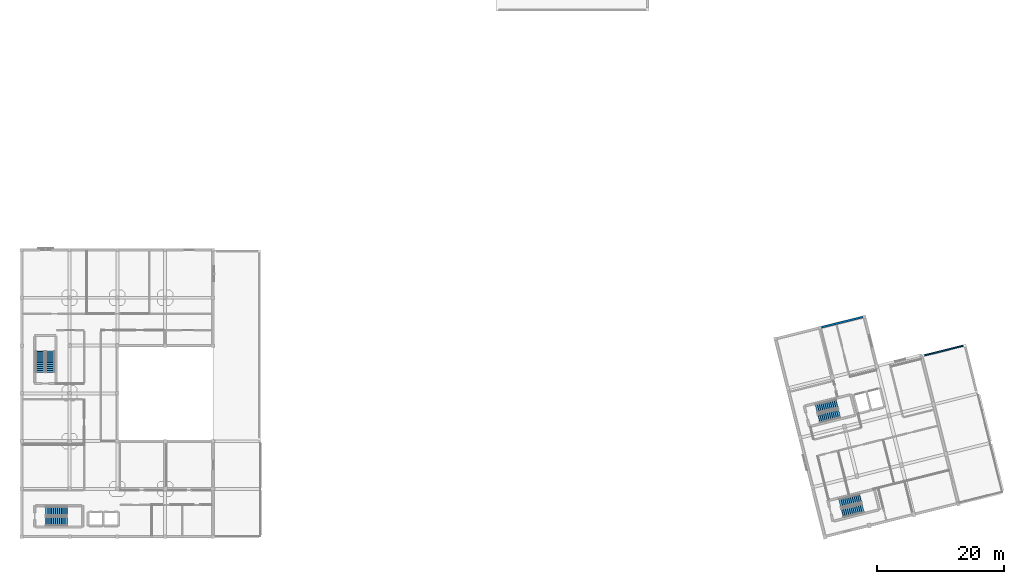
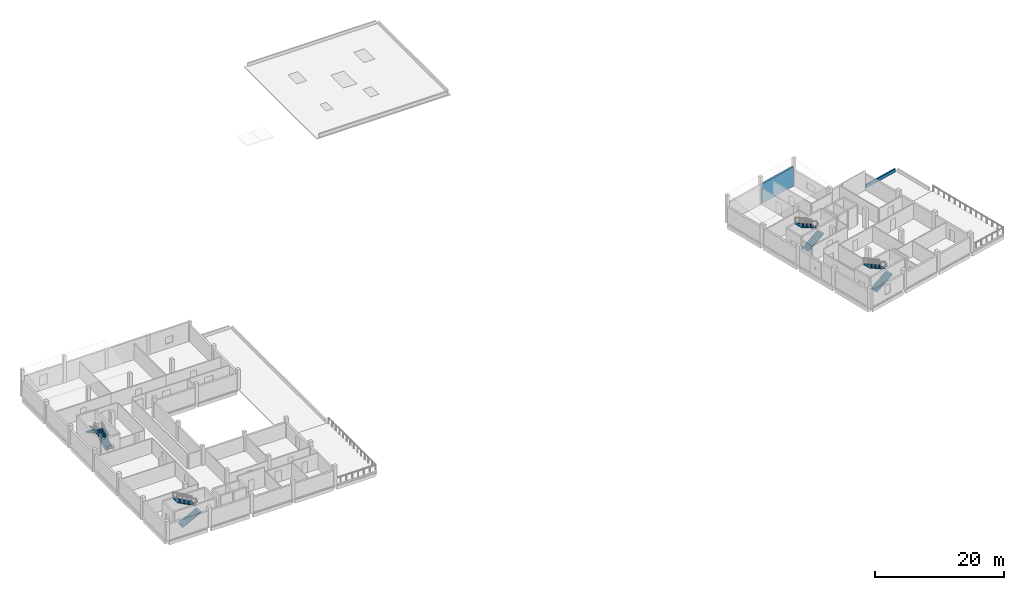
# One storey, part 9 of 14: 8 stair flights, 2 walls, 4 elements without a shape of their own.
"""IFC4 building model written with IfcOpenShell, lengths in metres."""

from ifc_helpers import new_model, si_unit, direction, frame, frame_2d, origin, place, context, subcontext, project, spatial, polyline, rectangle, outline, extrude, material, layer, layer_set, type_object, element, aggregate, save


model = new_model("IFC4")

# Units and contexts
model_context = context("Model", 3, precision=1e-05, world=origin(), true_north=direction((0.0, 1.0)))
body_context = subcontext(model_context, "Body", "Model", "MODEL_VIEW")
ifc_project = project(units=[si_unit("LENGTHUNIT", "METRE"), si_unit("AREAUNIT", "SQUARE_METRE"), si_unit("VOLUMEUNIT", "CUBIC_METRE"), si_unit("PLANEANGLEUNIT", "RADIAN"), si_unit("MASSUNIT", "GRAM", prefix="KILO")], contexts=[model_context])

# Site, building, storey
site_placement = place(None, origin())
site = spatial("IfcSite", under=ifc_project, at=site_placement, CompositionType="ELEMENT")
building_placement = place(site_placement, origin())
building = spatial("IfcBuilding", under=site, at=building_placement, Name="Mawjan Specialist Oncology Clinic", CompositionType="ELEMENT")
storey_placement = place(building_placement, frame((0.0, 0.0, 17.5)))
storey = spatial("IfcBuildingStorey", under=building, at=storey_placement, Name="L04", CompositionType="ELEMENT", Elevation=17.5)

# Walls
ifc_material_1 = material(Name="Precast concrete C40/50", Category="concrete")
ifc_layer_1 = layer(ifc_material_1, 0.320068359375, Name="Precast concrete C40/50", Category="concrete")
ifc_layer_set_1 = layer_set([ifc_layer_1], Name="Precast concrete C40/50")
wall_type_1 = type_object("IfcWallType", Name="EW-320", PredefinedType="SOLIDWALL", material=ifc_layer_set_1)
wall_1_placement = place(storey_placement, frame((125.4873046875, 33.65185546875, 0.0), z_axis=(0.0, 0.0, 1.0), x_axis=(0.970296633454, 0.241918257079, 0.0)))
element("IfcWall", 1, at=wall_1_placement, inside=storey, type_object=wall_type_1, Name="L04 Coral-Limestone Exterior Wall EW-L04-339", PredefinedType="SOLIDWALL", context=body_context, shape_type="SweptSolid", body=[
    extrude(rectangle(XDim=6.699951171875, YDim=0.320068359375, at=frame_2d((3.35009765625, 0.0))), origin(), (0.0, 0.0, 1.0), 3.68994140625),
])
ifc_material_2 = material(Name="Precast concrete C40/50", Category="concrete")
ifc_layer_2 = layer(ifc_material_2, 0.239990234375, Name="Precast concrete C40/50", Category="concrete")
ifc_layer_set_2 = layer_set([ifc_layer_2], Name="Precast concrete C40/50")
wall_type_2 = type_object("IfcWallType", Name="PAR-240", PredefinedType="PARAPET", material=ifc_layer_set_2)
wall_2_placement = place(storey_placement, frame((141.680908203125, 29.259033203125, -0.080078125), z_axis=(0.0, 0.0, 1.0), x_axis=(0.970301600071, 0.241898335878, 0.0)))
element("IfcWall", 2, at=wall_2_placement, inside=storey, type_object=wall_type_2, Name="L04 Roof Parapet Upstand 26", PredefinedType="PARAPET", context=body_context, shape_type="SweptSolid", body=[
    extrude(rectangle(XDim=6.22021484375, YDim=0.239990234375, at=frame_2d((3.110107421875, 0.0))), origin(), (0.0, 0.0, 1.0), 0.60009765625),
])

# Stair, stair flights
ifc_material_3 = material(Name="Concrete C35/45", Category="concrete")
stair_type = type_object("IfcStairType", Name="STR-CORE40", PredefinedType="HALF_TURN_STAIR", material=ifc_material_3)
stair_1_placement = place(storey_placement, origin())
stair_1 = element("IfcStair", 3, at=stair_1_placement, inside=storey, type_object=stair_type, Name="L04 Exit Stair ST-01", PredefinedType="HALF_TURN_STAIR")
ifc_material_4 = material(Name="Concrete C35/45", Category="concrete")
ifc_layer_3 = layer(ifc_material_4, 0.14990234375, Name="Concrete C35/45", Category="concrete")
ifc_layer_set_3 = layer_set([ifc_layer_3], Name="Concrete C35/45")
stair_flight_type = type_object("IfcStairFlightType", Name="FLT-CORE40", PredefinedType="STRAIGHT", material=ifc_layer_set_3)
stair_flight_1_placement = place(storey_placement, frame((3.800048828125, 3.199951171875, 0.0), z_axis=(0.0, 0.0, 1.0), x_axis=(1.0, 0.0, 0.0)))
stair_flight_1 = element("IfcStairFlight", 4, at=stair_flight_1_placement, type_object=stair_flight_type, Name="ST-01 flight 1", NumberOfRisers=12, NumberOfTreads=11, PredefinedType="STRAIGHT", RiserHeight=0.166666667, TreadLength=0.3, context=body_context, shape_type="SweptSolid", body=[
    extrude(outline(polyline([(-0.044921875, -0.0400390625), (-0.044921875, 0.0), (0.0, 0.0), (0.0, 0.166748046875), (0.300048828125, 0.166748046875), (0.300048828125, 0.333251953125), (0.60009765625, 0.333251953125), (0.60009765625, 0.5), (0.89990234375, 0.5), (0.89990234375, 0.666748046875), (1.199951171875, 0.666748046875), (1.199951171875, 0.833251953125), (1.5, 0.833251953125), (1.5, 1.0), (1.800048828125, 1.0), (1.800048828125, 1.166748046875), (2.10009765625, 1.166748046875), (2.10009765625, 1.333251953125), (2.39990234375, 1.333251953125), (2.39990234375, 1.5), (2.699951171875, 1.5), (2.699951171875, 1.666748046875), (3.0, 1.666748046875), (3.0, 1.833251953125), (3.300048828125, 1.833251953125), (3.344970703125, 1.833251953125), (3.344970703125, 1.683349609375), (0.044921875, -0.0400390625), (-0.044921875, -0.0400390625)])), frame((0.0, 0.699951171875, 0.0), z_axis=(0.0, -1.0, 0.0), x_axis=(1.0, 0.0, 0.0)), (0.0, 0.0, 1.0), 1.39990234375),
])
stair_flight_2_placement = place(storey_placement, frame((7.10009765625, 4.800048828125, 2.0), z_axis=(0.0, 0.0, 1.0), x_axis=(-1.0, 0.0, 0.0)))
stair_flight_2 = element("IfcStairFlight", 5, at=stair_flight_2_placement, type_object=stair_flight_type, Name="ST-01 flight 2", NumberOfRisers=12, NumberOfTreads=11, PredefinedType="STRAIGHT", RiserHeight=0.166666667, TreadLength=0.3, context=body_context, shape_type="SweptSolid", body=[
    extrude(outline(polyline([(-0.044921875, -0.0400390625), (-0.044921875, 0.0), (0.0, 0.0), (0.0, 0.166748046875), (0.300048828125, 0.166748046875), (0.300048828125, 0.333251953125), (0.60009765625, 0.333251953125), (0.60009765625, 0.5), (0.89990234375, 0.5), (0.89990234375, 0.666748046875), (1.199951171875, 0.666748046875), (1.199951171875, 0.833251953125), (1.5, 0.833251953125), (1.5, 1.0), (1.800048828125, 1.0), (1.800048828125, 1.166748046875), (2.10009765625, 1.166748046875), (2.10009765625, 1.333251953125), (2.39990234375, 1.333251953125), (2.39990234375, 1.5), (2.699951171875, 1.5), (2.699951171875, 1.666748046875), (3.0, 1.666748046875), (3.0, 1.833251953125), (3.300048828125, 1.833251953125), (3.344970703125, 1.833251953125), (3.344970703125, 1.683349609375), (0.044921875, -0.0400390625), (-0.044921875, -0.0400390625)])), frame((0.0, 0.699951171875, 0.0), z_axis=(0.0, -1.0, 0.0), x_axis=(1.0, 0.0, 0.0)), (0.0, 0.0, 1.0), 1.39990234375),
])
aggregate(stair_1, [stair_flight_1, stair_flight_2])

stair_2_placement = place(storey_placement, origin())
stair_2 = element("IfcStair", 6, at=stair_2_placement, inside=storey, type_object=stair_type, Name="L04 Exit Stair ST-02", PredefinedType="HALF_TURN_STAIR")
stair_flight_3_placement = place(storey_placement, frame((4.5, 26.60009765625, 0.0), z_axis=(0.0, 0.0, 1.0), x_axis=(0.0, 1.0, 0.0)))
stair_flight_3 = element("IfcStairFlight", 7, at=stair_flight_3_placement, type_object=stair_flight_type, Name="ST-02 flight 1", NumberOfRisers=12, NumberOfTreads=11, PredefinedType="STRAIGHT", RiserHeight=0.166666667, TreadLength=0.3, context=body_context, shape_type="SweptSolid", body=[
    extrude(outline(polyline([(-0.044921875, -0.0400390625), (-0.044921875, 0.0), (0.0, 0.0), (0.0, 0.166748046875), (0.300048828125, 0.166748046875), (0.300048828125, 0.333251953125), (0.60009765625, 0.333251953125), (0.60009765625, 0.5), (0.89990234375, 0.5), (0.89990234375, 0.666748046875), (1.199951171875, 0.666748046875), (1.199951171875, 0.833251953125), (1.5, 0.833251953125), (1.5, 1.0), (1.800048828125, 1.0), (1.800048828125, 1.166748046875), (2.10009765625, 1.166748046875), (2.10009765625, 1.333251953125), (2.39990234375, 1.333251953125), (2.39990234375, 1.5), (2.699951171875, 1.5), (2.699951171875, 1.666748046875), (3.0, 1.666748046875), (3.0, 1.833251953125), (3.300048828125, 1.833251953125), (3.344970703125, 1.833251953125), (3.344970703125, 1.683349609375), (0.044921875, -0.0400390625), (-0.044921875, -0.0400390625)])), frame((0.0, 0.699951171875, 0.0), z_axis=(0.0, -1.0, 0.0), x_axis=(1.0, 0.0, 0.0)), (0.0, 0.0, 1.0), 1.39990234375),
])
stair_flight_4_placement = place(storey_placement, frame((2.89990234375, 29.89990234375, 2.0), z_axis=(0.0, 0.0, 1.0), x_axis=(0.0, -1.0, 0.0)))
stair_flight_4 = element("IfcStairFlight", 8, at=stair_flight_4_placement, type_object=stair_flight_type, Name="ST-02 flight 2", NumberOfRisers=12, NumberOfTreads=11, PredefinedType="STRAIGHT", RiserHeight=0.166666667, TreadLength=0.3, context=body_context, shape_type="SweptSolid", body=[
    extrude(outline(polyline([(-0.044921875, -0.0400390625), (-0.044921875, 0.0), (0.0, 0.0), (0.0, 0.166748046875), (0.300048828125, 0.166748046875), (0.300048828125, 0.333251953125), (0.60009765625, 0.333251953125), (0.60009765625, 0.5), (0.89990234375, 0.5), (0.89990234375, 0.666748046875), (1.199951171875, 0.666748046875), (1.199951171875, 0.833251953125), (1.5, 0.833251953125), (1.5, 1.0), (1.800048828125, 1.0), (1.800048828125, 1.166748046875), (2.10009765625, 1.166748046875), (2.10009765625, 1.333251953125), (2.39990234375, 1.333251953125), (2.39990234375, 1.5), (2.699951171875, 1.5), (2.699951171875, 1.666748046875), (3.0, 1.666748046875), (3.0, 1.833251953125), (3.300048828125, 1.833251953125), (3.344970703125, 1.833251953125), (3.344970703125, 1.683349609375), (0.044921875, -0.0400390625), (-0.044921875, -0.0400390625)])), frame((0.0, 0.699951171875, 0.0), z_axis=(0.0, -1.0, 0.0), x_axis=(1.0, 0.0, 0.0)), (0.0, 0.0, 1.0), 1.39990234375),
])
aggregate(stair_2, [stair_flight_3, stair_flight_4])

stair_3_placement = place(storey_placement, origin())
stair_3 = element("IfcStair", 9, at=stair_3_placement, inside=storey, type_object=stair_type, Name="L04 Exit Stair ST-05", PredefinedType="HALF_TURN_STAIR")
stair_flight_5_placement = place(storey_placement, frame((125.090087890625, 19.330322265625, 0.0), z_axis=(0.0, 0.0, 1.0), x_axis=(0.970295726276, 0.2419218956, 0.0)))
stair_flight_5 = element("IfcStairFlight", 10, at=stair_flight_5_placement, type_object=stair_flight_type, Name="ST-05 flight 1", NumberOfRisers=12, NumberOfTreads=11, PredefinedType="STRAIGHT", RiserHeight=0.166666667, TreadLength=0.3, context=body_context, shape_type="SweptSolid", body=[
    extrude(outline(polyline([(-0.044921875, -0.0400390625), (-0.044921875, 0.0), (0.0, 0.0), (0.0, 0.166748046875), (0.300048828125, 0.166748046875), (0.300048828125, 0.333251953125), (0.60009765625, 0.333251953125), (0.60009765625, 0.5), (0.89990234375, 0.5), (0.89990234375, 0.666748046875), (1.199951171875, 0.666748046875), (1.199951171875, 0.833251953125), (1.5, 0.833251953125), (1.5, 1.0), (1.800048828125, 1.0), (1.800048828125, 1.166748046875), (2.10009765625, 1.166748046875), (2.10009765625, 1.333251953125), (2.39990234375, 1.333251953125), (2.39990234375, 1.5), (2.699951171875, 1.5), (2.699951171875, 1.666748046875), (3.0, 1.666748046875), (3.0, 1.833251953125), (3.300048828125, 1.833251953125), (3.344970703125, 1.833251953125), (3.344970703125, 1.683349609375), (0.044921875, -0.0400390625), (-0.044921875, -0.0400390625)])), frame((0.0, 0.699951171875, 0.0), z_axis=(0.0, -1.0, 0.0), x_axis=(1.0, 0.0, 0.0)), (0.0, 0.0, 1.0), 1.39990234375),
])
stair_flight_6_placement = place(storey_placement, frame((127.905029296875, 21.68115234375, 2.0), z_axis=(0.0, 0.0, 1.0), x_axis=(-0.970295726276, -0.2419218956, 0.0)))
stair_flight_6 = element("IfcStairFlight", 11, at=stair_flight_6_placement, type_object=stair_flight_type, Name="ST-05 flight 2", NumberOfRisers=12, NumberOfTreads=11, PredefinedType="STRAIGHT", RiserHeight=0.166666667, TreadLength=0.3, context=body_context, shape_type="SweptSolid", body=[
    extrude(outline(polyline([(-0.044921875, -0.0400390625), (-0.044921875, 0.0), (0.0, 0.0), (0.0, 0.166748046875), (0.300048828125, 0.166748046875), (0.300048828125, 0.333251953125), (0.60009765625, 0.333251953125), (0.60009765625, 0.5), (0.89990234375, 0.5), (0.89990234375, 0.666748046875), (1.199951171875, 0.666748046875), (1.199951171875, 0.833251953125), (1.5, 0.833251953125), (1.5, 1.0), (1.800048828125, 1.0), (1.800048828125, 1.166748046875), (2.10009765625, 1.166748046875), (2.10009765625, 1.333251953125), (2.39990234375, 1.333251953125), (2.39990234375, 1.5), (2.699951171875, 1.5), (2.699951171875, 1.666748046875), (3.0, 1.666748046875), (3.0, 1.833251953125), (3.300048828125, 1.833251953125), (3.344970703125, 1.833251953125), (3.344970703125, 1.683349609375), (0.044921875, -0.0400390625), (-0.044921875, -0.0400390625)])), frame((0.0, 0.699951171875, 0.0), z_axis=(0.0, -1.0, 0.0), x_axis=(1.0, 0.0, 0.0)), (0.0, 0.0, 1.0), 1.39990234375),
])
aggregate(stair_3, [stair_flight_5, stair_flight_6])

stair_4_placement = place(storey_placement, origin())
stair_4 = element("IfcStair", 12, at=stair_4_placement, inside=storey, type_object=stair_type, Name="L04 Exit Stair ST-06", PredefinedType="HALF_TURN_STAIR")
stair_flight_7_placement = place(storey_placement, frame((128.79150390625, 4.48486328125, 0.0), z_axis=(0.0, 0.0, 1.0), x_axis=(0.970295726276, 0.2419218956, 0.0)))
stair_flight_7 = element("IfcStairFlight", 13, at=stair_flight_7_placement, type_object=stair_flight_type, Name="ST-06 flight 1", NumberOfRisers=12, NumberOfTreads=11, PredefinedType="STRAIGHT", RiserHeight=0.166666667, TreadLength=0.3, context=body_context, shape_type="SweptSolid", body=[
    extrude(outline(polyline([(-0.044921875, -0.0400390625), (-0.044921875, 0.0), (0.0, 0.0), (0.0, 0.166748046875), (0.300048828125, 0.166748046875), (0.300048828125, 0.333251953125), (0.60009765625, 0.333251953125), (0.60009765625, 0.5), (0.89990234375, 0.5), (0.89990234375, 0.666748046875), (1.199951171875, 0.666748046875), (1.199951171875, 0.833251953125), (1.5, 0.833251953125), (1.5, 1.0), (1.800048828125, 1.0), (1.800048828125, 1.166748046875), (2.10009765625, 1.166748046875), (2.10009765625, 1.333251953125), (2.39990234375, 1.333251953125), (2.39990234375, 1.5), (2.699951171875, 1.5), (2.699951171875, 1.666748046875), (3.0, 1.666748046875), (3.0, 1.833251953125), (3.300048828125, 1.833251953125), (3.344970703125, 1.833251953125), (3.344970703125, 1.683349609375), (0.044921875, -0.0400390625), (-0.044921875, -0.0400390625)])), frame((0.0, 0.699951171875, 0.0), z_axis=(0.0, -1.0, 0.0), x_axis=(1.0, 0.0, 0.0)), (0.0, 0.0, 1.0), 1.39990234375),
])
stair_flight_8_placement = place(storey_placement, frame((131.6064453125, 6.835693359375, 2.0), z_axis=(0.0, 0.0, 1.0), x_axis=(-0.970295726276, -0.2419218956, 0.0)))
stair_flight_8 = element("IfcStairFlight", 14, at=stair_flight_8_placement, type_object=stair_flight_type, Name="ST-06 flight 2", NumberOfRisers=12, NumberOfTreads=11, PredefinedType="STRAIGHT", RiserHeight=0.166666667, TreadLength=0.3, context=body_context, shape_type="SweptSolid", body=[
    extrude(outline(polyline([(-0.044921875, -0.0400390625), (-0.044921875, 0.0), (0.0, 0.0), (0.0, 0.166748046875), (0.300048828125, 0.166748046875), (0.300048828125, 0.333251953125), (0.60009765625, 0.333251953125), (0.60009765625, 0.5), (0.89990234375, 0.5), (0.89990234375, 0.666748046875), (1.199951171875, 0.666748046875), (1.199951171875, 0.833251953125), (1.5, 0.833251953125), (1.5, 1.0), (1.800048828125, 1.0), (1.800048828125, 1.166748046875), (2.10009765625, 1.166748046875), (2.10009765625, 1.333251953125), (2.39990234375, 1.333251953125), (2.39990234375, 1.5), (2.699951171875, 1.5), (2.699951171875, 1.666748046875), (3.0, 1.666748046875), (3.0, 1.833251953125), (3.300048828125, 1.833251953125), (3.344970703125, 1.833251953125), (3.344970703125, 1.683349609375), (0.044921875, -0.0400390625), (-0.044921875, -0.0400390625)])), frame((0.0, 0.699951171875, 0.0), z_axis=(0.0, -1.0, 0.0), x_axis=(1.0, 0.0, 0.0)), (0.0, 0.0, 1.0), 1.39990234375),
])
aggregate(stair_4, [stair_flight_7, stair_flight_8])

save(model, "model.ifc")
